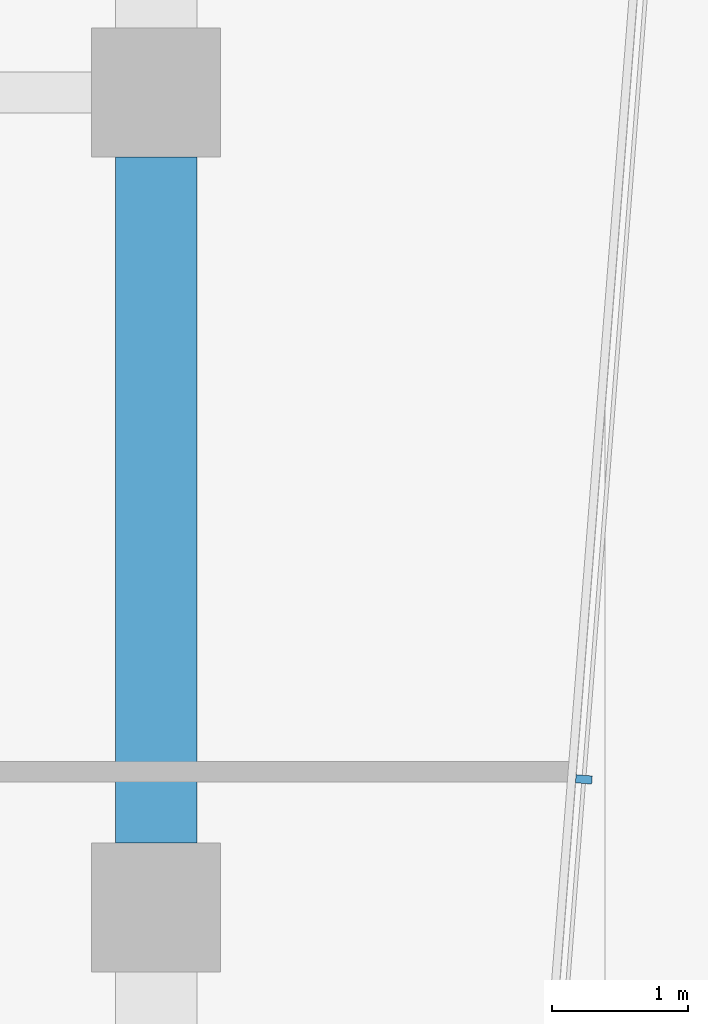
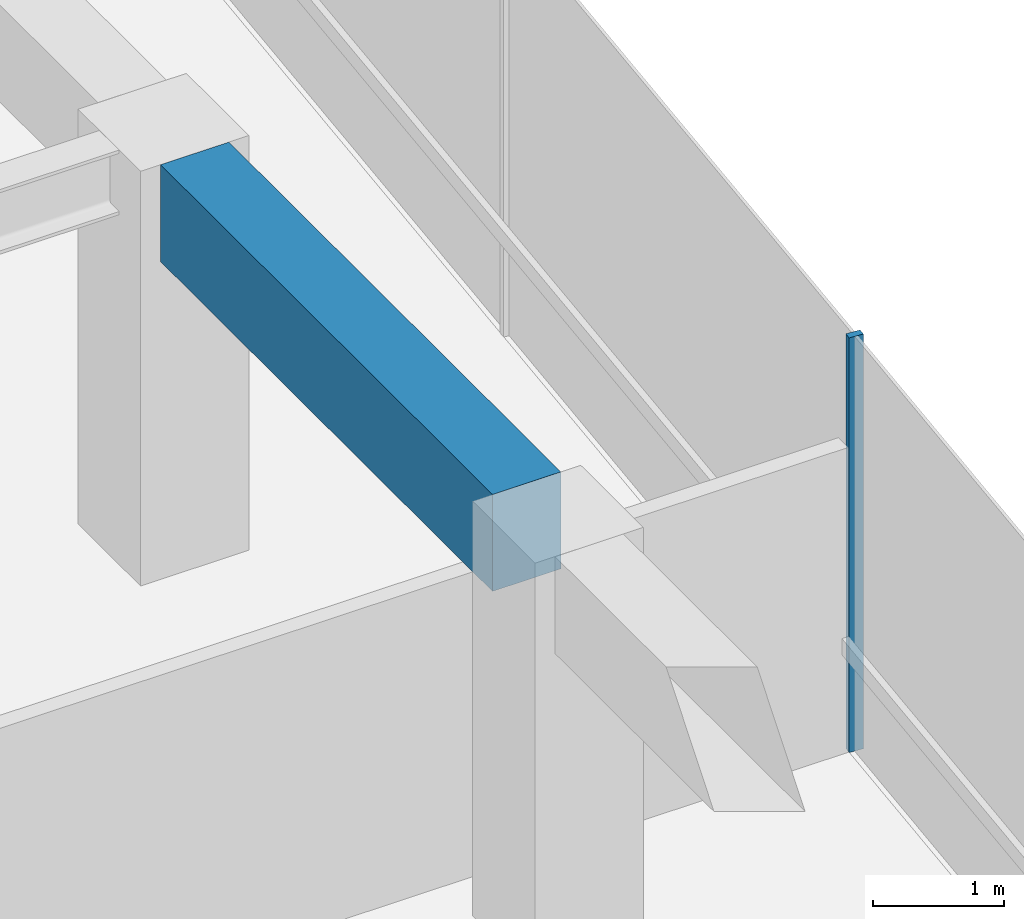
# One storey, part 19 of 29: 1 beam, 1 member, 1 element without a shape of its own.
"""IFC4 building model written with IfcOpenShell, lengths in metres."""

from ifc_helpers import new_model, si_unit, direction, frame, origin, origin_2d, place, context, subcontext, project, spatial, rectangle, extrude, material, layer, layer_set, material_profile, profile_set, type_object, element, aggregate, save


model = new_model("IFC4")

# Units and contexts
model_context = context("Model", 3, precision=1e-05, world=origin(), true_north=direction((0.0, 1.0)))
body_context = subcontext(model_context, "Body", "Model", "MODEL_VIEW")
ifc_project = project(units=[si_unit("LENGTHUNIT", "METRE"), si_unit("AREAUNIT", "SQUARE_METRE"), si_unit("VOLUMEUNIT", "CUBIC_METRE"), si_unit("PLANEANGLEUNIT", "RADIAN"), si_unit("MASSUNIT", "GRAM", prefix="KILO")], contexts=[model_context])

# Site, building, storey
site_placement = place(None, origin())
site = spatial("IfcSite", under=ifc_project, at=site_placement, CompositionType="ELEMENT")
building_placement = place(site_placement, origin())
building = spatial("IfcBuilding", under=site, at=building_placement, Name="Welwitschia Terrace Campus", CompositionType="ELEMENT")
storey_placement = place(building_placement, frame((0.0, 0.0, 33.199951171875)))
storey = spatial("IfcBuildingStorey", under=building, at=storey_placement, Name="L07", CompositionType="ELEMENT", Elevation=33.199951171875)

# Curtain wall, member
ifc_material_1 = material(Name="Bronze anodised aluminium", Category="aluminium")
ifc_layer = layer(ifc_material_1, 0.1201171875)
ifc_layer_set = layer_set([ifc_layer], Name="Bronze anodised aluminium")
curtain_wall_type = type_object("IfcCurtainWallType", Name="Curtain wall CW2 tower 6000", PredefinedType="NOTDEFINED", material=ifc_layer_set)
curtain_wall_placement = place(storey_placement, origin())
curtain_wall = element("IfcCurtainWall", 1, at=curtain_wall_placement, inside=storey, type_object=curtain_wall_type, Name="CW L07.14.0", PredefinedType="NOTDEFINED")
ifc_material_2 = material(Name="Bronze anodised aluminium", Category="aluminium")
ifc_material_profile_1 = material_profile(ifc_material_2, rectangle(XDim=0.1201171875, YDim=0.06005859375, at=origin_2d()))
ifc_profile_set_1 = profile_set([ifc_material_profile_1], Name="Bronze anodised aluminium")
member_type = type_object("IfcMemberType", Name="Mullion 60x120", PredefinedType="MULLION", material=ifc_profile_set_1)
member_placement = place(storey_placement, frame((27.149169921875, 50.94287109375, 0.0), z_axis=(0.0, 0.0, 1.0), x_axis=(-0.996917333733, 0.078459095728, 0.0)))
member = element("IfcMember", 2, at=member_placement, type_object=member_type, Name="Mullion L07.14.0.4", PredefinedType="MULLION", context=body_context, shape_type="SweptSolid", body=[
    extrude(rectangle(XDim=0.1201171875, YDim=0.06005859375, at=origin_2d()), origin(), (0.0, 0.0, 1.0), 3.85009765625),
])
aggregate(curtain_wall, [member])

# Beam
ifc_material_3 = material(Name="Concrete C60/75", Category="concrete")
ifc_material_profile_2 = material_profile(ifc_material_3, rectangle(XDim=0.60009765625, YDim=0.89990234375, at=origin_2d()))
ifc_profile_set_2 = profile_set([ifc_material_profile_2], Name="Concrete C60/75")
beam_type = type_object("IfcBeamType", Name="Ring spandrel 600x900", PredefinedType="SPANDREL", material=ifc_profile_set_2)
beam_placement = place(storey_placement, frame((24.0, 50.4755859375, 3.400146484375), z_axis=(0.0, 1.0, 0.0), x_axis=(-1.0, 0.0, 0.0)))
element("IfcBeam", 3, at=beam_placement, inside=storey, type_object=beam_type, Name="Spandrel SP2", PredefinedType="SPANDREL", context=body_context, shape_type="SweptSolid", body=[
    extrude(rectangle(XDim=0.60009765625, YDim=0.89990234375, at=origin_2d()), origin(), (0.0, 0.0, 1.0), 5.048828125),
])

save(model, "model.ifc")
